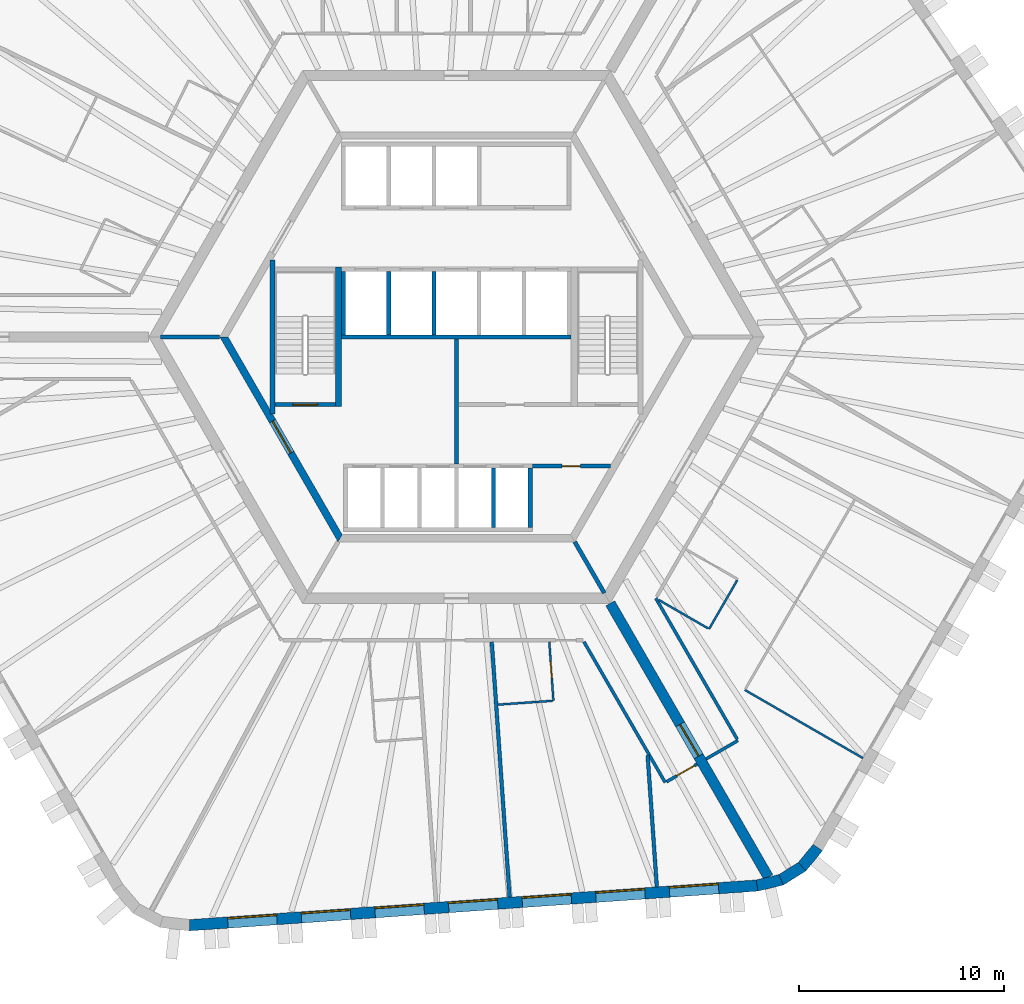
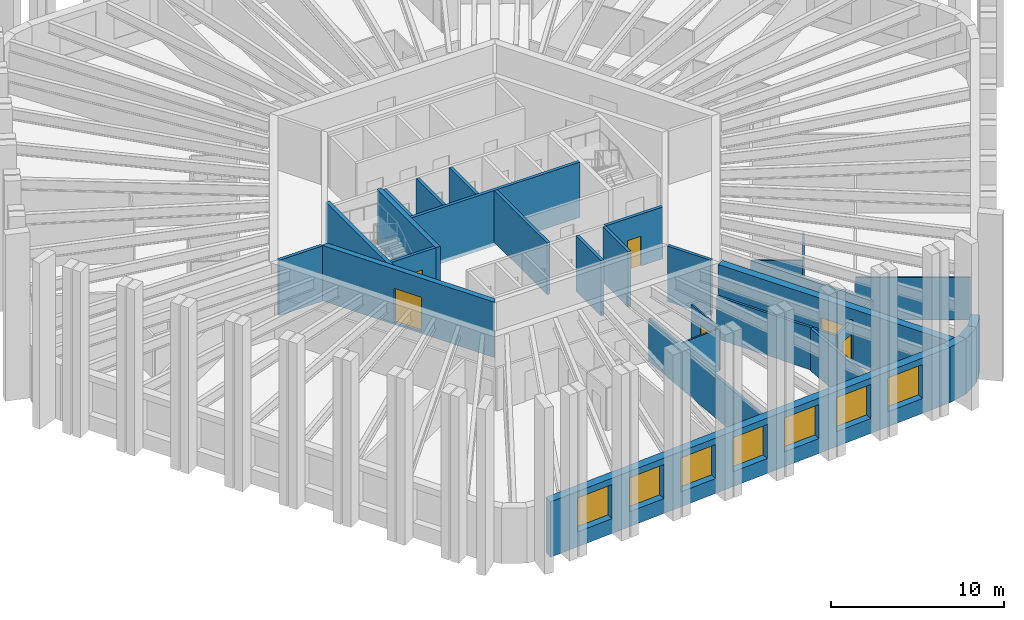
# One storey, part 4 of 9: 30 walls, 7 windows, 6 doors, 13 openings.
"""IFC4 building model written with IfcOpenShell, lengths in metres."""

from ifc_helpers import new_model, si_unit, direction, frame, frame_2d, origin, place, context, subcontext, project, spatial, polyline, rectangle, outline, extrude, material, layer, layer_set, type_object, element, fill, save


model = new_model("IFC4")

# Units and contexts
model_context = context("Model", 3, precision=1e-05, world=origin(), true_north=direction((0.0, 1.0)))
body_context = subcontext(model_context, "Body", "Model", "MODEL_VIEW")
ifc_project = project(units=[si_unit("LENGTHUNIT", "METRE"), si_unit("AREAUNIT", "SQUARE_METRE"), si_unit("VOLUMEUNIT", "CUBIC_METRE"), si_unit("PLANEANGLEUNIT", "RADIAN"), si_unit("MASSUNIT", "GRAM", prefix="KILO")], contexts=[model_context])

# Site, building, storey
site_placement = place(None, origin())
site = spatial("IfcSite", under=ifc_project, at=site_placement, CompositionType="ELEMENT")
building_placement = place(site_placement, origin())
building = spatial("IfcBuilding", under=site, at=building_placement, Name="Tarnside Tower", CompositionType="ELEMENT")
storey_placement = place(building_placement, frame((0.0, 0.0, 215.10009765625)))
storey = spatial("IfcBuildingStorey", under=building, at=storey_placement, Name="L51", CompositionType="ELEMENT", Elevation=215.10009765625)

# Wall, opening, door
ifc_material_1 = material(Name="Gypsum board partition on steel studs", Category="steel")
ifc_layer_1 = layer(ifc_material_1, 0.10009765625)
ifc_layer_set_1 = layer_set([ifc_layer_1], Name="Bathroom wall 100")
wall_type_1 = type_object("IfcWallType", Name="Bathroom wall 100", PredefinedType="PARTITIONING", material=ifc_layer_set_1)
wall_1_placement = place(storey_placement, frame((4.53076171875, -14.875, 0.0), z_axis=(0.0, 0.0, 1.0), x_axis=(0.069743215787, -0.997564977258, 0.0)))
wall_1 = element("IfcWall", 1, at=wall_1_placement, inside=storey, type_object=wall_type_1, Name="Bathroom wall 17078", PredefinedType="PARTITIONING", context=body_context, shape_type="SweptSolid", body=[
    extrude(rectangle(XDim=2.884521484375, YDim=0.10009765625, at=frame_2d((1.4423828125, 0.0))), origin(), (0.0, 0.0, 1.0), 2.98779296875),
])
opening_1_placement = place(wall_1_placement, frame((0.984619140625, 0.0, 0.0)))
opening_1 = element("IfcOpeningElement", 2, at=opening_1_placement, cuts=wall_1, Name="Opening D-B1", PredefinedType="OPENING", context=body_context, shape_type="SweptSolid", body=[
    extrude(rectangle(XDim=0.800048828125, YDim=2.10009765625, at=frame_2d((0.39990234375, 1.050048828125))), frame((0.0, 0.06005859375, 0.0), z_axis=(0.0, -1.0, 0.0), x_axis=(1.0, 0.0, 0.0)), (0.0, 0.0, 1.0), 0.1201171875),
])
ifc_material_2 = material(Name="Timber door leaf", Category="wood")
door_type_1 = type_object("IfcDoorType", Name="Bathroom door 800", OperationType="NOTDEFINED", PredefinedType="DOOR", material=ifc_material_2)
door_1_placement = place(opening_1_placement, origin())
door_1 = element("IfcDoor", 3, at=door_1_placement, inside=storey, type_object=door_type_1, Name="Bathroom door 17021", OperationType="SINGLE_SWING_RIGHT", OverallHeight=2.10009765625, OverallWidth=0.800048828125, PredefinedType="DOOR", context=body_context, shape_type="SweptSolid", body=[
    extrude(rectangle(XDim=0.800048828125, YDim=2.10009765625, at=frame_2d((0.39990234375, 1.050048828125))), frame((0.0, 0.02490234375, 0.0), z_axis=(0.0, -1.0, 0.0), x_axis=(1.0, 0.0, 0.0)), (0.0, 0.0, 1.0), 0.050048828125),
])
fill(opening_1, door_1)

# Walls
wall_2_placement = place(storey_placement, frame((4.68212890625, -17.756103515625, 0.0), z_axis=(0.0, 0.0, 1.0), x_axis=(-0.997564270717, -0.069753320981, 0.0)))
element("IfcWall", 4, at=wall_2_placement, inside=storey, type_object=wall_type_1, Name="Bathroom wall 17079", PredefinedType="PARTITIONING", context=body_context, shape_type="SweptSolid", body=[
    extrude(rectangle(XDim=2.66015625, YDim=0.10009765625, at=frame_2d((1.330078125, 0.0))), origin(), (0.0, 0.0, 1.0), 2.98779296875),
])
wall_3_placement = place(storey_placement, frame((13.701416015625, -11.868408203125, 0.0), z_axis=(0.0, 0.0, 1.0), x_axis=(-0.499996545922, -0.866027397988, 0.0)))
element("IfcWall", 5, at=wall_3_placement, inside=storey, type_object=wall_type_1, Name="Bathroom wall 17082", PredefinedType="PARTITIONING", context=body_context, shape_type="SweptSolid", body=[
    extrude(rectangle(XDim=2.75, YDim=0.10009765625, at=frame_2d((1.375, 0.0))), origin(), (0.0, 0.0, 1.0), 2.98779296875),
])
wall_4_placement = place(storey_placement, frame((12.283203125, -14.22509765625, 0.0), z_axis=(0.0, 0.0, 1.0), x_axis=(-0.866018616679, 0.500011755427, 0.0)))
element("IfcWall", 6, at=wall_4_placement, inside=storey, type_object=wall_type_1, Name="Bathroom wall 17083", PredefinedType="PARTITIONING", context=body_context, shape_type="SweptSolid", body=[
    extrude(rectangle(XDim=2.80029296875, YDim=0.10009765625, at=frame_2d((1.400146484375, 0.0))), origin(), (0.0, 0.0, 1.0), 2.98779296875),
])

# Wall, opening, door
ifc_material_3 = material(Name="Concrete C50/60", Category="concrete")
ifc_layer_2 = layer(ifc_material_3, 0.35009765625)
ifc_layer_set_2 = layer_set([ifc_layer_2], Name="Core block wall 350 C50/60")
wall_type_2 = type_object("IfcWallType", Name="Core block wall 350 C50/60", PredefinedType="SHEAR", material=ifc_layer_set_2)
wall_5_placement = place(storey_placement, frame((-11.344970703125, 0.0, -0.150146484375), z_axis=(0.0, 0.0, 1.0), x_axis=(0.499995046907, -0.866028263435, 0.0)))
wall_5 = element("IfcWall", 7, at=wall_5_placement, inside=storey, type_object=wall_type_2, Name="L51 core block wall face 3", PredefinedType="SHEAR", context=body_context, shape_type="SweptSolid", body=[
    extrude(outline(polyline([(-0.10107421875, -0.175048828125), (11.44580078125, -0.175048828125), (11.24365234375, 0.175048828125), (0.10107421875, 0.175048828125), (-0.10107421875, -0.175048828125)])), origin(), (0.0, 0.0, 1.0), 3.900146484375),
])
opening_2_placement = place(wall_5_placement, frame((4.74365234375, 0.0, 0.14990234375)))
opening_2 = element("IfcOpeningElement", 8, at=opening_2_placement, cuts=wall_5, Name="Opening CD-FFL", PredefinedType="OPENING", context=body_context, shape_type="SweptSolid", body=[
    extrude(rectangle(XDim=1.800048828125, YDim=2.39990234375, at=frame_2d((0.89990234375, 1.199951171875))), frame((0.0, 0.18505859375, 0.0), z_axis=(0.0, -1.0, 0.0), x_axis=(1.0, 0.0, 0.0)), (0.0, 0.0, 1.0), 0.3701171875),
])
ifc_material_4 = material(Name="Steel fire door", Category="steel")
door_type_2 = type_object("IfcDoorType", Name="Firefighting lobby double door FD60S 1800x2400", OperationType="NOTDEFINED", PredefinedType="DOOR", material=ifc_material_4)
door_2_placement = place(opening_2_placement, origin())
door_2 = element("IfcDoor", 9, at=door_2_placement, inside=storey, type_object=door_type_2, Name="L51 lobby block door P3", OperationType="DOUBLE_DOOR_SINGLE_SWING", OverallHeight=2.39990234375, OverallWidth=1.800048828125, PredefinedType="DOOR", context=body_context, shape_type="SweptSolid", body=[
    extrude(rectangle(XDim=1.800048828125, YDim=2.39990234375, at=frame_2d((0.89990234375, 1.199951171875))), frame((0.0, 0.02490234375, 0.0), z_axis=(0.0, -1.0, 0.0), x_axis=(1.0, 0.0, 0.0)), (0.0, 0.0, 1.0), 0.050048828125),
])
fill(opening_2, door_2)

# Wall
ifc_material_5 = material(Name="Concrete C40/50", Category="concrete")
ifc_layer_3 = layer(ifc_material_5, 0.199951171875)
ifc_layer_set_3 = layer_set([ifc_layer_3], Name="Core room partition 200 C40/50")
wall_type_3 = type_object("IfcWallType", Name="Core room partition 200 C40/50", PredefinedType="PARTITIONING", material=ifc_layer_set_3)
wall_6_placement = place(storey_placement, frame((0.0, -6.199951171875, 0.0), z_axis=(0.0, 0.0, 1.0), x_axis=(0.0, 1.0, 0.0)))
element("IfcWall", 10, at=wall_6_placement, inside=storey, type_object=wall_type_3, Name="L51 core partition X0", PredefinedType="PARTITIONING", context=body_context, shape_type="SweptSolid", body=[
    extrude(rectangle(XDim=6.099853515625, YDim=0.199951171875, at=frame_2d((3.0498046875, 0.0))), origin(), (0.0, 0.0, 1.0), 3.64990234375),
])

# Wall, opening, door
wall_7_placement = place(storey_placement, frame((3.699951171875, -6.300048828125, 0.0), z_axis=(0.0, 0.0, 1.0), x_axis=(1.0, 0.0, 0.0)))
wall_7 = element("IfcWall", 11, at=wall_7_placement, inside=storey, type_object=wall_type_3, Name="L51 core partition R4X", PredefinedType="PARTITIONING", context=body_context, shape_type="SweptSolid", body=[
    extrude(rectangle(XDim=3.8056640625, YDim=0.199951171875, at=frame_2d((1.90283203125, 0.0))), origin(), (0.0, 0.0, 1.0), 3.64990234375),
])
opening_3_placement = place(wall_7_placement, frame((1.452880859375, 0.0, 0.0)))
opening_3 = element("IfcOpeningElement", 12, at=opening_3_placement, cuts=wall_7, Name="Opening CD-room", PredefinedType="OPENING", context=body_context, shape_type="SweptSolid", body=[
    extrude(rectangle(XDim=0.89990234375, YDim=2.10009765625, at=frame_2d((0.449951171875, 1.050048828125))), frame((0.0, 0.10986328125, 0.0), z_axis=(0.0, -1.0, 0.0), x_axis=(1.0, 0.0, 0.0)), (0.0, 0.0, 1.0), 0.219970703125),
])
door_type_3 = type_object("IfcDoorType", Name="Room door FD60 900x2100", OperationType="NOTDEFINED", PredefinedType="DOOR", material=ifc_material_4)
door_3_placement = place(opening_3_placement, origin())
door_3 = element("IfcDoor", 13, at=door_3_placement, inside=storey, type_object=door_type_3, Name="L51 core room door RX", OperationType="SINGLE_SWING_LEFT", OverallHeight=2.10009765625, OverallWidth=0.89990234375, PredefinedType="DOOR", context=body_context, shape_type="SweptSolid", body=[
    extrude(rectangle(XDim=0.89990234375, YDim=2.10009765625, at=frame_2d((0.449951171875, 1.050048828125))), frame((0.0, 0.02490234375, 0.0), z_axis=(0.0, -1.0, 0.0), x_axis=(1.0, 0.0, 0.0)), (0.0, 0.0, 1.0), 0.050048828125),
])
fill(opening_3, door_3)

ifc_material_6 = material(Name="Concrete C70/85", Category="concrete")
ifc_layer_4 = layer(ifc_material_6, 0.5)
ifc_layer_set_4 = layer_set([ifc_layer_4], Name="Core wall Z2 500 C70/85")
wall_type_4 = type_object("IfcWallType", Name="Core wall Z2 500 C70/85", PredefinedType="SHEAR", material=ifc_layer_set_4)
wall_8_placement = place(storey_placement, frame((7.505615234375, -13.0, -0.150146484375), z_axis=(0.0, 0.0, 1.0), x_axis=(0.499988271576, -0.866032175087, 0.0)))
wall_8 = element("IfcWall", 14, at=wall_8_placement, inside=storey, type_object=wall_type_4, Name="L51 spine wall 3", PredefinedType="SHEAR", context=body_context, shape_type="SweptSolid", body=[
    extrude(rectangle(XDim=15.423583984375, YDim=0.5, at=frame_2d((7.7119140625, 0.0))), origin(), (0.0, 0.0, 1.0), 3.900146484375),
])
opening_4_placement = place(wall_8_placement, frame((6.811767578125, 0.0, 0.14990234375)))
opening_4 = element("IfcOpeningElement", 15, at=opening_4_placement, cuts=wall_8, Name="Opening CD-SPN", PredefinedType="OPENING", context=body_context, shape_type="SweptSolid", body=[
    extrude(rectangle(XDim=1.800048828125, YDim=2.39990234375, at=frame_2d((0.89990234375, 1.199951171875))), frame((0.0, 0.260009765625, 0.0), z_axis=(0.0, -1.0, 0.0), x_axis=(1.0, 0.0, 0.0)), (0.0, 0.0, 1.0), 0.52001953125),
])
door_type_4 = type_object("IfcDoorType", Name="Spine passage double door FD60 1800x2400", OperationType="NOTDEFINED", PredefinedType="DOOR", material=ifc_material_4)
door_4_placement = place(opening_4_placement, origin())
door_4 = element("IfcDoor", 16, at=door_4_placement, inside=storey, type_object=door_type_4, Name="L51 spine passage door 3", OperationType="DOUBLE_DOOR_SINGLE_SWING", OverallHeight=2.39990234375, OverallWidth=1.800048828125, PredefinedType="DOOR", context=body_context, shape_type="SweptSolid", body=[
    extrude(rectangle(XDim=1.800048828125, YDim=2.39990234375, at=frame_2d((0.89990234375, 1.199951171875))), frame((0.0, 0.02490234375, 0.0), z_axis=(0.0, -1.0, 0.0), x_axis=(1.0, 0.0, 0.0)), (0.0, 0.0, 1.0), 0.050048828125),
])
fill(opening_4, door_4)

# Wall
ifc_layer_5 = layer(ifc_material_1, 0.14990234375)
ifc_layer_set_5 = layer_set([ifc_layer_5], Name="Corridor wall 150 EI 60")
wall_type_5 = type_object("IfcWallType", Name="Corridor wall 150 EI 60", PredefinedType="PARTITIONING", material=ifc_layer_set_5)
wall_9_placement = place(storey_placement, frame((6.220947265625, -14.875, 0.0), z_axis=(0.0, 0.0, 1.0), x_axis=(0.499989830942, -0.866031274813, 0.0)))
element("IfcWall", 17, at=wall_9_placement, inside=storey, type_object=wall_type_5, Name="Corridor wall 17027", PredefinedType="PARTITIONING", context=body_context, shape_type="SweptSolid", body=[
    extrude(rectangle(XDim=7.930419921875, YDim=0.14990234375, at=frame_2d((3.96533203125, 0.0))), origin(), (0.0, 0.0, 1.0), 2.98779296875),
])

# Wall, opening, door
wall_10_placement = place(storey_placement, frame((10.2509765625, -21.705322265625, 0.0), z_axis=(0.0, 0.0, 1.0), x_axis=(0.866013532718, 0.500020560727, 0.0)))
wall_10 = element("IfcWall", 18, at=wall_10_placement, inside=storey, type_object=wall_type_5, Name="Corridor wall 17030", PredefinedType="PARTITIONING", context=body_context, shape_type="SweptSolid", body=[
    extrude(rectangle(XDim=1.72509765625, YDim=0.14990234375, at=frame_2d((0.862548828125, 0.0))), origin(), (0.0, 0.0, 1.0), 2.98779296875),
])
opening_5_placement = place(wall_10_placement, frame((0.574951171875, 0.0, 0.0)))
opening_5 = element("IfcOpeningElement", 19, at=opening_5_placement, cuts=wall_10, Name="Opening D-E1", PredefinedType="OPENING", context=body_context, shape_type="SweptSolid", body=[
    extrude(rectangle(XDim=1.0, YDim=2.10009765625, at=frame_2d((0.5, 1.050048828125))), frame((0.0, 0.0849609375, 0.0), z_axis=(0.0, -1.0, 0.0), x_axis=(1.0, 0.0, 0.0)), (0.0, 0.0, 1.0), 0.169921875),
])
door_type_5 = type_object("IfcDoorType", Name="Unit entrance door 1000 FD30S", OperationType="NOTDEFINED", PredefinedType="DOOR", material=ifc_material_2)
door_5_placement = place(opening_5_placement, origin())
door_5 = element("IfcDoor", 20, at=door_5_placement, inside=storey, type_object=door_type_5, Name="Unit door 17022", OperationType="SINGLE_SWING_LEFT", OverallHeight=2.10009765625, OverallWidth=1.0, PredefinedType="DOOR", context=body_context, shape_type="SweptSolid", body=[
    extrude(rectangle(XDim=1.0, YDim=2.10009765625, at=frame_2d((0.5, 1.050048828125))), frame((0.0, 0.02490234375, 0.0), z_axis=(0.0, -1.0, 0.0), x_axis=(1.0, 0.0, 0.0)), (0.0, 0.0, 1.0), 0.050048828125),
])
fill(opening_5, door_5)

# Walls
wall_11_placement = place(storey_placement, frame((12.177978515625, -20.5927734375, 0.0), z_axis=(0.0, 0.0, 1.0), x_axis=(0.866047807691, 0.499961193289, 0.0)))
element("IfcWall", 21, at=wall_11_placement, inside=storey, type_object=wall_type_5, Name="Corridor wall 17031", PredefinedType="PARTITIONING", context=body_context, shape_type="SweptSolid", body=[
    extrude(rectangle(XDim=1.800048828125, YDim=0.14990234375, at=frame_2d((0.89990234375, 0.0))), origin(), (0.0, 0.0, 1.0), 2.98779296875),
])
wall_12_placement = place(storey_placement, frame((13.69921875, -19.6279296875, 0.0), z_axis=(0.0, 0.0, 1.0), x_axis=(-0.499997422768, 0.866026891745, 0.0)))
element("IfcWall", 22, at=wall_12_placement, inside=storey, type_object=wall_type_5, Name="Corridor wall 17032", PredefinedType="PARTITIONING", context=body_context, shape_type="SweptSolid", body=[
    extrude(rectangle(XDim=7.94189453125, YDim=0.14990234375, at=frame_2d((3.970947265625, 0.0))), origin(), (0.0, 0.0, 1.0), 2.98779296875),
])
ifc_layer_6 = layer(ifc_material_1, 0.179931640625)
ifc_layer_set_6 = layer_set([ifc_layer_6], Name="Demising wall 180 EI 60")
wall_type_6 = type_object("IfcWallType", Name="Demising wall 180 EI 60", PredefinedType="PARTITIONING", material=ifc_layer_set_6)
wall_13_placement = place(storey_placement, frame((2.59521484375, -27.33544921875, 0.0), z_axis=(0.0, 0.0, 1.0), x_axis=(-0.069757939761, 0.997563947745, 0.0)))
element("IfcWall", 23, at=wall_13_placement, inside=storey, type_object=wall_type_6, Name="Demising wall 17076", PredefinedType="PARTITIONING", context=body_context, shape_type="SweptSolid", body=[
    extrude(rectangle(XDim=12.490966796875, YDim=0.179931640625, at=frame_2d((6.24560546875, 0.0))), origin(), (0.0, 0.0, 1.0), 2.98779296875),
])
wall_14_placement = place(storey_placement, frame((9.777587890625, -26.833251953125, 0.0), z_axis=(0.0, 0.0, 1.0), x_axis=(-0.069733334443, 0.997565668048, 0.0)))
element("IfcWall", 24, at=wall_14_placement, inside=storey, type_object=wall_type_6, Name="Demising wall 17080", PredefinedType="PARTITIONING", context=body_context, shape_type="SweptSolid", body=[
    extrude(rectangle(XDim=6.44189453125, YDim=0.179931640625, at=frame_2d((3.220947265625, 0.0))), origin(), (0.0, 0.0, 1.0), 2.98779296875),
])
ifc_layer_7 = layer(ifc_material_5, 0.199951171875)
ifc_layer_set_7 = layer_set([ifc_layer_7], Name="Lift shaft wall 200 C40/50")
wall_type_7 = type_object("IfcWallType", Name="Lift shaft wall 200 C40/50", PredefinedType="SHEAR", material=ifc_layer_set_7)
wall_15_placement = place(storey_placement, frame((-5.60009765625, 0.0, -0.25), z_axis=(0.0, 0.0, 1.0), x_axis=(1.0, 0.0, 0.0)))
element("IfcWall", 25, at=wall_15_placement, inside=storey, type_object=wall_type_7, Name="L51 lift shaft back wall R2", PredefinedType="SHEAR", context=body_context, shape_type="SweptSolid", body=[
    extrude(rectangle(XDim=11.2001953125, YDim=0.199951171875, at=frame_2d((5.60009765625, 0.0))), origin(), (0.0, 0.0, 1.0), 3.89990234375),
])
for number, where, z_axis, x_axis, name in (
    (26, (-5.5, 0.10009765625, -0.25), (0.0, 0.0, 1.0), (0.0, 1.0, 0.0), "L51 lift shaft partition R21"),
    (27, (-3.300048828125, 0.10009765625, -0.25), (0.0, 0.0, 1.0), (0.0, 1.0, 0.0), "L51 lift shaft partition R22"),
    (28, (-1.10009765625, 0.10009765625, -0.25), (0.0, 0.0, 1.0), (0.0, 1.0, 0.0), "L51 lift shaft partition R23"),
):
    element("IfcWall", number, at=place(storey_placement, frame(where, z_axis=z_axis, x_axis=x_axis)), inside=storey, type_object=wall_type_7, Name=name, PredefinedType="SHEAR", context=body_context, shape_type="SweptSolid", body=[
        extrude(rectangle(XDim=3.099853515625, YDim=0.199951171875, at=frame_2d((1.5498046875, 0.0))), origin(), (0.0, 0.0, 1.0), 3.89990234375),
    ])
for number, where, z_axis, x_axis, name in (
    (29, (1.800048828125, -9.300048828125, -0.25), (0.0, 0.0, 1.0), (0.0, 1.0, 0.0), "L51 lift shaft partition R45"),
    (30, (3.60009765625, -9.300048828125, -0.25), (0.0, 0.0, 1.0), (0.0, 1.0, 0.0), "L51 lift shaft partition R46"),
):
    element("IfcWall", number, at=place(storey_placement, frame(where, z_axis=z_axis, x_axis=x_axis)), inside=storey, type_object=wall_type_7, Name=name, PredefinedType="SHEAR", context=body_context, shape_type="SweptSolid", body=[
        extrude(rectangle(XDim=2.900146484375, YDim=0.199951171875, at=frame_2d((1.4501953125, 0.0))), origin(), (0.0, 0.0, 1.0), 3.89990234375),
    ])
for number, where, z_axis, x_axis, name in (
    (31, (-11.547119140625, 0.0, -0.150146484375), (0.0, 0.0, 1.0), (-1.0, 0.0, 0.0), "L51 core partition AR180"),
    (32, (5.7734375, -10.0, -0.150146484375), (0.0, 0.0, 1.0), (0.499995765644, -0.866027848477, 0.0), "L51 core partition AR300"),
):
    element("IfcWall", number, at=place(storey_placement, frame(where, z_axis=z_axis, x_axis=x_axis)), inside=storey, type_object=wall_type_7, Name=name, PredefinedType="SHEAR", context=body_context, shape_type="SweptSolid", body=[
        extrude(rectangle(XDim=2.88671875, YDim=0.199951171875, at=frame_2d((1.443359375, 0.0))), origin(), (0.0, 0.0, 1.0), 3.900146484375),
    ])

# Wall, opening, door
wall_16_placement = place(storey_placement, frame((-8.85009765625, -3.300048828125, -0.25), z_axis=(0.0, 0.0, 1.0), x_axis=(1.0, 0.0, 0.0)))
wall_16 = element("IfcWall", 33, at=wall_16_placement, inside=storey, type_object=wall_type_7, Name="L51 stair 2 enclosure cap wall s", PredefinedType="SHEAR", context=body_context, shape_type="SweptSolid", body=[
    extrude(rectangle(XDim=2.9501953125, YDim=0.199951171875, at=frame_2d((1.47509765625, 0.0))), origin(), (0.0, 0.0, 1.0), 3.89990234375),
])
opening_6_placement = place(wall_16_placement, frame((0.875, 0.0, 0.25)))
opening_6 = element("IfcOpeningElement", 34, at=opening_6_placement, cuts=wall_16, Name="Opening CD-STR", PredefinedType="OPENING", context=body_context, shape_type="SweptSolid", body=[
    extrude(rectangle(XDim=1.199951171875, YDim=2.39990234375, at=frame_2d((0.60009765625, 1.199951171875))), frame((0.0, 0.10986328125, 0.0), z_axis=(0.0, -1.0, 0.0), x_axis=(1.0, 0.0, 0.0)), (0.0, 0.0, 1.0), 0.219970703125),
])
door_type_6 = type_object("IfcDoorType", Name="Stair door FD60S 1200x2400", OperationType="NOTDEFINED", PredefinedType="DOOR", material=ifc_material_4)
door_6_placement = place(opening_6_placement, origin())
door_6 = element("IfcDoor", 35, at=door_6_placement, inside=storey, type_object=door_type_6, Name="L51 stair 2 door", OperationType="SINGLE_SWING_LEFT", OverallHeight=2.39990234375, OverallWidth=1.199951171875, PredefinedType="DOOR", context=body_context, shape_type="SweptSolid", body=[
    extrude(rectangle(XDim=1.199951171875, YDim=2.39990234375, at=frame_2d((0.60009765625, 1.199951171875))), frame((0.0, 0.02490234375, 0.0), z_axis=(0.0, -1.0, 0.0), x_axis=(1.0, 0.0, 0.0)), (0.0, 0.0, 1.0), 0.050048828125),
])
fill(opening_6, door_6)

# Walls
ifc_layer_8 = layer(ifc_material_1, 0.10009765625)
ifc_layer_set_8 = layer_set([ifc_layer_8], Name="Partition 100")
wall_type_8 = type_object("IfcWallType", Name="Partition 100", PredefinedType="PARTITIONING", material=ifc_layer_set_8)
wall_17_placement = place(storey_placement, frame((19.831298828125, -20.551025390625, 0.0), z_axis=(0.0, 0.0, 1.0), x_axis=(-0.866027239912, 0.49999681972, 0.0)))
element("IfcWall", 36, at=wall_17_placement, inside=storey, type_object=wall_type_8, Name="Partition wall 17084", PredefinedType="PARTITIONING", context=body_context, shape_type="SweptSolid", body=[
    extrude(rectangle(XDim=6.64990234375, YDim=0.10009765625, at=frame_2d((3.324951171875, 0.0))), origin(), (0.0, 0.0, 1.0), 2.98779296875),
])
ifc_layer_9 = layer(ifc_material_5, 0.25)
ifc_layer_set_9 = layer_set([ifc_layer_9], Name="Stair enclosure wall 250 C40/50")
wall_type_9 = type_object("IfcWallType", Name="Stair enclosure wall 250 C40/50", PredefinedType="SHEAR", material=ifc_layer_set_9)
wall_18_placement = place(storey_placement, frame((-8.97509765625, -3.7548828125, -0.25), z_axis=(0.0, 0.0, 1.0), x_axis=(0.0, 1.0, 0.0)))
element("IfcWall", 37, at=wall_18_placement, inside=storey, type_object=wall_type_9, Name="L51 stair 2 enclosure wall outer", PredefinedType="SHEAR", context=body_context, shape_type="SweptSolid", body=[
    extrude(rectangle(XDim=7.509765625, YDim=0.25, at=frame_2d((3.7548828125, 0.0))), origin(), (0.0, 0.0, 1.0), 3.89990234375),
])
ifc_layer_10 = layer(ifc_material_5, 0.300048828125)
ifc_layer_set_10 = layer_set([ifc_layer_10], Name="Stair enclosure wall 300 C40/50")
wall_type_10 = type_object("IfcWallType", Name="Stair enclosure wall 300 C40/50", PredefinedType="SHEAR", material=ifc_layer_set_10)
wall_19_placement = place(storey_placement, frame((-5.75, -3.39990234375, -0.25), z_axis=(0.0, 0.0, 1.0), x_axis=(0.0, 1.0, 0.0)))
element("IfcWall", 38, at=wall_19_placement, inside=storey, type_object=wall_type_10, Name="L51 stair 2 enclosure wall inner", PredefinedType="SHEAR", context=body_context, shape_type="SweptSolid", body=[
    extrude(rectangle(XDim=6.7998046875, YDim=0.300048828125, at=frame_2d((3.39990234375, 0.0))), origin(), (0.0, 0.0, 1.0), 3.89990234375),
])

# Wall, openings, windows
ifc_material_7 = material(Name="Facing brick", Category="masonry")
ifc_layer_11 = layer(ifc_material_7, 0.10205078125)
ifc_material_8 = material(Name="Concrete C60/75 precast", Category="concrete")
ifc_layer_12 = layer(ifc_material_8, 0.347900390625)
ifc_material_9 = material(Name="Mineral wool insulation")
ifc_layer_13 = layer(ifc_material_9, 0.10009765625)
ifc_layer_set_11 = layer_set([ifc_layer_11, ifc_layer_12, ifc_layer_13], Name="Tube wall 550 brick faced")
wall_type_11 = type_object("IfcWallType", Name="Tube wall 550 brick faced", PredefinedType="SOLIDWALL", material=ifc_layer_set_11)
wall_20_placement = place(storey_placement, frame((-13.0263671875, -28.70361328125, -0.150146484375), z_axis=(0.0, 0.0, 1.0), x_axis=(0.99756406806, 0.069756219185, 0.0)))
wall_20 = element("IfcWall", 39, at=wall_20_placement, inside=storey, type_object=wall_type_11, Name="Tube wall L51 F4 flush 12", PredefinedType="SOLIDWALL", context=body_context, shape_type="SweptSolid", body=[
    extrude(outline(polyline([(-0.025634765625, -0.27490234375), (27.7802734375, -0.27490234375), (27.7353515625, 0.27490234375), (0.025634765625, 0.27490234375), (-0.025634765625, -0.27490234375)])), origin(), (0.0, 0.0, 1.0), 3.900146484375),
])
opening_7_placement = place(wall_20_placement, frame((1.87890625, 0.0, 1.050048828125)))
opening_7 = element("IfcOpeningElement", 40, at=opening_7_placement, cuts=wall_20, Name="Opening WH", PredefinedType="OPENING", context=body_context, shape_type="SweptSolid", body=[
    extrude(rectangle(XDim=2.39990234375, YDim=2.39990234375, at=frame_2d((1.199951171875, 1.199951171875))), frame((0.0, 0.28515625, 0.0), z_axis=(0.0, -1.0, 0.0), x_axis=(1.0, 0.0, 0.0)), (0.0, 0.0, 1.0), 0.570068359375),
])
opening_8_placement = place(wall_20_placement, frame((5.47900390625, 0.0, 1.050048828125)))
opening_8 = element("IfcOpeningElement", 41, at=opening_8_placement, cuts=wall_20, Name="Opening WH", PredefinedType="OPENING", context=body_context, shape_type="SweptSolid", body=[
    extrude(rectangle(XDim=2.39990234375, YDim=2.39990234375, at=frame_2d((1.199951171875, 1.199951171875))), frame((0.0, 0.28515625, 0.0), z_axis=(0.0, -1.0, 0.0), x_axis=(1.0, 0.0, 0.0)), (0.0, 0.0, 1.0), 0.570068359375),
])
opening_9_placement = place(wall_20_placement, frame((9.078857421875, 0.0, 1.050048828125)))
opening_9 = element("IfcOpeningElement", 42, at=opening_9_placement, cuts=wall_20, Name="Opening WH", PredefinedType="OPENING", context=body_context, shape_type="SweptSolid", body=[
    extrude(rectangle(XDim=2.39990234375, YDim=2.39990234375, at=frame_2d((1.199951171875, 1.199951171875))), frame((0.0, 0.28515625, 0.0), z_axis=(0.0, -1.0, 0.0), x_axis=(1.0, 0.0, 0.0)), (0.0, 0.0, 1.0), 0.570068359375),
])
opening_10_placement = place(wall_20_placement, frame((12.678955078125, 0.0, 1.050048828125)))
opening_10 = element("IfcOpeningElement", 43, at=opening_10_placement, cuts=wall_20, Name="Opening WH", PredefinedType="OPENING", context=body_context, shape_type="SweptSolid", body=[
    extrude(rectangle(XDim=2.39990234375, YDim=2.39990234375, at=frame_2d((1.199951171875, 1.199951171875))), frame((0.0, 0.28515625, 0.0), z_axis=(0.0, -1.0, 0.0), x_axis=(1.0, 0.0, 0.0)), (0.0, 0.0, 1.0), 0.570068359375),
])
opening_11_placement = place(wall_20_placement, frame((16.27880859375, 0.0, 1.050048828125)))
opening_11 = element("IfcOpeningElement", 44, at=opening_11_placement, cuts=wall_20, Name="Opening WH", PredefinedType="OPENING", context=body_context, shape_type="SweptSolid", body=[
    extrude(rectangle(XDim=2.39990234375, YDim=2.39990234375, at=frame_2d((1.199951171875, 1.199951171875))), frame((0.0, 0.28515625, 0.0), z_axis=(0.0, -1.0, 0.0), x_axis=(1.0, 0.0, 0.0)), (0.0, 0.0, 1.0), 0.570068359375),
])
opening_12_placement = place(wall_20_placement, frame((19.87890625, 0.0, 1.050048828125)))
opening_12 = element("IfcOpeningElement", 45, at=opening_12_placement, cuts=wall_20, Name="Opening WH", PredefinedType="OPENING", context=body_context, shape_type="SweptSolid", body=[
    extrude(rectangle(XDim=2.39990234375, YDim=2.39990234375, at=frame_2d((1.199951171875, 1.199951171875))), frame((0.0, 0.28515625, 0.0), z_axis=(0.0, -1.0, 0.0), x_axis=(1.0, 0.0, 0.0)), (0.0, 0.0, 1.0), 0.570068359375),
])
opening_13_placement = place(wall_20_placement, frame((23.47900390625, 0.0, 1.050048828125)))
opening_13 = element("IfcOpeningElement", 46, at=opening_13_placement, cuts=wall_20, Name="Opening WH", PredefinedType="OPENING", context=body_context, shape_type="SweptSolid", body=[
    extrude(rectangle(XDim=2.39990234375, YDim=2.39990234375, at=frame_2d((1.199951171875, 1.199951171875))), frame((0.0, 0.28515625, 0.0), z_axis=(0.0, -1.0, 0.0), x_axis=(1.0, 0.0, 0.0)), (0.0, 0.0, 1.0), 0.570068359375),
])
ifc_material_10 = material(Name="Aluminium-framed double glazing", Category="aluminium")
window_type = type_object("IfcWindowType", Name="Hotel window 2400 x 2400", PartitioningType="DOUBLE_PANEL_VERTICAL", PredefinedType="WINDOW", material=ifc_material_10)
window_1_placement = place(opening_7_placement, frame((0.0, 0.205078125, 0.0)))
window_1 = element("IfcWindow", 47, at=window_1_placement, inside=storey, type_object=window_type, Name="E.WN.L51.F4.00", OverallHeight=2.39990234375, OverallWidth=2.39990234375, PartitioningType="DOUBLE_PANEL_VERTICAL", PredefinedType="WINDOW", context=body_context, shape_type="SweptSolid", body=[
    extrude(rectangle(XDim=2.39990234375, YDim=2.39990234375, at=frame_2d((1.199951171875, 1.199951171875))), frame((0.0, 0.030029296875, 0.0), z_axis=(0.0, -1.0, 0.0), x_axis=(1.0, 0.0, 0.0)), (0.0, 0.0, 1.0), 0.06005859375),
])
fill(opening_7, window_1)
window_2_placement = place(opening_8_placement, frame((0.0, 0.205078125, 0.0)))
window_2 = element("IfcWindow", 48, at=window_2_placement, inside=storey, type_object=window_type, Name="E.WN.L51.F4.01", OverallHeight=2.39990234375, OverallWidth=2.39990234375, PartitioningType="DOUBLE_PANEL_VERTICAL", PredefinedType="WINDOW", context=body_context, shape_type="SweptSolid", body=[
    extrude(rectangle(XDim=2.39990234375, YDim=2.39990234375, at=frame_2d((1.199951171875, 1.199951171875))), frame((0.0, 0.030029296875, 0.0), z_axis=(0.0, -1.0, 0.0), x_axis=(1.0, 0.0, 0.0)), (0.0, 0.0, 1.0), 0.06005859375),
])
fill(opening_8, window_2)
window_3_placement = place(opening_9_placement, frame((0.0, 0.205078125, 0.0)))
window_3 = element("IfcWindow", 49, at=window_3_placement, inside=storey, type_object=window_type, Name="E.WN.L51.F4.02", OverallHeight=2.39990234375, OverallWidth=2.39990234375, PartitioningType="DOUBLE_PANEL_VERTICAL", PredefinedType="WINDOW", context=body_context, shape_type="SweptSolid", body=[
    extrude(rectangle(XDim=2.39990234375, YDim=2.39990234375, at=frame_2d((1.199951171875, 1.199951171875))), frame((0.0, 0.030029296875, 0.0), z_axis=(0.0, -1.0, 0.0), x_axis=(1.0, 0.0, 0.0)), (0.0, 0.0, 1.0), 0.06005859375),
])
fill(opening_9, window_3)
window_4_placement = place(opening_10_placement, frame((0.0, 0.205078125, 0.0)))
window_4 = element("IfcWindow", 50, at=window_4_placement, inside=storey, type_object=window_type, Name="E.WN.L51.F4.03", OverallHeight=2.39990234375, OverallWidth=2.39990234375, PartitioningType="DOUBLE_PANEL_VERTICAL", PredefinedType="WINDOW", context=body_context, shape_type="SweptSolid", body=[
    extrude(rectangle(XDim=2.39990234375, YDim=2.39990234375, at=frame_2d((1.199951171875, 1.199951171875))), frame((0.0, 0.030029296875, 0.0), z_axis=(0.0, -1.0, 0.0), x_axis=(1.0, 0.0, 0.0)), (0.0, 0.0, 1.0), 0.06005859375),
])
fill(opening_10, window_4)
window_5_placement = place(opening_11_placement, frame((0.0, 0.205078125, 0.0)))
window_5 = element("IfcWindow", 51, at=window_5_placement, inside=storey, type_object=window_type, Name="E.WN.L51.F4.04", OverallHeight=2.39990234375, OverallWidth=2.39990234375, PartitioningType="DOUBLE_PANEL_VERTICAL", PredefinedType="WINDOW", context=body_context, shape_type="SweptSolid", body=[
    extrude(rectangle(XDim=2.39990234375, YDim=2.39990234375, at=frame_2d((1.199951171875, 1.199951171875))), frame((0.0, 0.030029296875, 0.0), z_axis=(0.0, -1.0, 0.0), x_axis=(1.0, 0.0, 0.0)), (0.0, 0.0, 1.0), 0.06005859375),
])
fill(opening_11, window_5)
window_6_placement = place(opening_12_placement, frame((0.0, 0.205078125, 0.0)))
window_6 = element("IfcWindow", 52, at=window_6_placement, inside=storey, type_object=window_type, Name="E.WN.L51.F4.05", OverallHeight=2.39990234375, OverallWidth=2.39990234375, PartitioningType="DOUBLE_PANEL_VERTICAL", PredefinedType="WINDOW", context=body_context, shape_type="SweptSolid", body=[
    extrude(rectangle(XDim=2.39990234375, YDim=2.39990234375, at=frame_2d((1.199951171875, 1.199951171875))), frame((0.0, 0.030029296875, 0.0), z_axis=(0.0, -1.0, 0.0), x_axis=(1.0, 0.0, 0.0)), (0.0, 0.0, 1.0), 0.06005859375),
])
fill(opening_12, window_6)
window_7_placement = place(opening_13_placement, frame((0.0, 0.205078125, 0.0)))
window_7 = element("IfcWindow", 53, at=window_7_placement, inside=storey, type_object=window_type, Name="E.WN.L51.F4.06", OverallHeight=2.39990234375, OverallWidth=2.39990234375, PartitioningType="DOUBLE_PANEL_VERTICAL", PredefinedType="WINDOW", context=body_context, shape_type="SweptSolid", body=[
    extrude(rectangle(XDim=2.39990234375, YDim=2.39990234375, at=frame_2d((1.199951171875, 1.199951171875))), frame((0.0, 0.030029296875, 0.0), z_axis=(0.0, -1.0, 0.0), x_axis=(1.0, 0.0, 0.0)), (0.0, 0.0, 1.0), 0.06005859375),
])
fill(opening_13, window_7)

# Walls
wall_21_placement = place(storey_placement, frame((14.663818359375, -26.767333984375, -0.150146484375), z_axis=(0.0, 0.0, 1.0), x_axis=(0.973063591128, 0.230536868247, 0.0)))
element("IfcWall", 54, at=wall_21_placement, inside=storey, type_object=wall_type_11, Name="Tube wall L51 F4 chord 13", PredefinedType="SOLIDWALL", context=body_context, shape_type="SweptSolid", body=[
    extrude(outline(polyline([(-0.0224609375, -0.27490234375), (1.25341796875, -0.27490234375), (1.1630859375, 0.27490234375), (0.0224609375, 0.27490234375), (-0.0224609375, -0.27490234375)])), origin(), (0.0, 0.0, 1.0), 3.900146484375),
])
wall_22_placement = place(storey_placement, frame((15.839599609375, -26.48876953125, -0.150146484375), z_axis=(0.0, 0.0, 1.0), x_axis=(0.848009655012, 0.52998077796, 0.0)))
element("IfcWall", 55, at=wall_22_placement, inside=storey, type_object=wall_type_11, Name="Tube wall L51 F4 chord 14", PredefinedType="SOLIDWALL", context=body_context, shape_type="SweptSolid", body=[
    extrude(outline(polyline([(-0.045166015625, -0.27490234375), (1.25341796875, -0.27490234375), (1.1630859375, 0.27490234375), (0.045166015625, 0.27490234375), (-0.045166015625, -0.27490234375)])), origin(), (0.0, 0.0, 1.0), 3.900146484375),
])
wall_23_placement = place(storey_placement, frame((16.8642578125, -25.848388671875, -0.150146484375), z_axis=(0.0, 0.0, 1.0), x_axis=(0.633842757806, 0.773461930787, 0.0)))
element("IfcWall", 56, at=wall_23_placement, inside=storey, type_object=wall_type_11, Name="Tube wall L51 F4 chord 15", PredefinedType="SOLIDWALL", context=body_context, shape_type="SweptSolid", body=[
    extrude(outline(polyline([(-0.045166015625, -0.27490234375), (1.230712890625, -0.27490234375), (1.185791015625, 0.27490234375), (0.045166015625, 0.27490234375), (-0.045166015625, -0.27490234375)])), origin(), (0.0, 0.0, 1.0), 3.900146484375),
])

save(model, "model.ifc")
